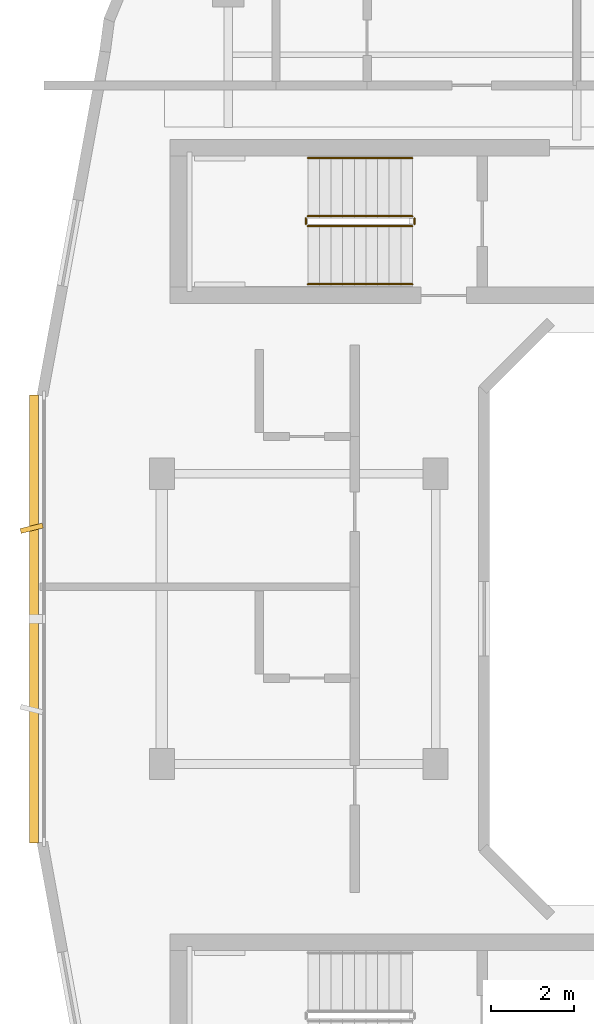
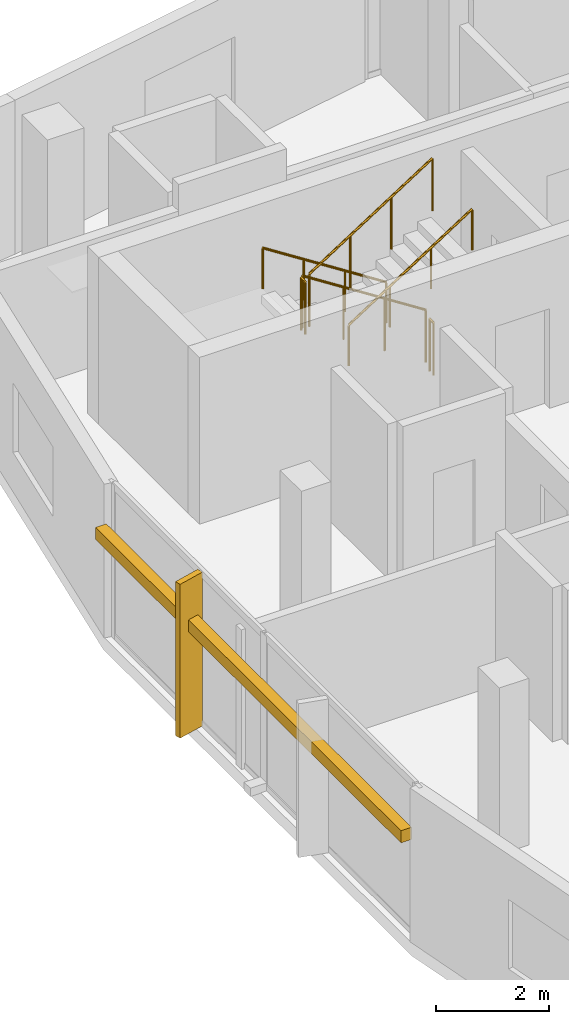
# One storey, part 9 of 10: 6 railings, 2 shading devices.
"""IFC4 building model written with IfcOpenShell, lengths in metres."""

from ifc_helpers import new_model, si_unit, derived_unit, direction, frame, origin, origin_2d, place, context, subcontext, project, spatial, rectangle, circle, extrude, material, type_object, element, save


model = new_model("IFC4")

# Units and contexts
model_context = context("Model", 3, precision=1e-05, world=origin(), true_north=direction((0.0, 1.0)))
body_context = subcontext(model_context, "Body", "Model", "MODEL_VIEW")
ifc_project = project(units=[si_unit("LENGTHUNIT", "METRE"), si_unit("AREAUNIT", "SQUARE_METRE"), si_unit("VOLUMEUNIT", "CUBIC_METRE"), si_unit("PLANEANGLEUNIT", "RADIAN"), si_unit("MASSUNIT", "GRAM", prefix="KILO"), derived_unit("THERMALTRANSMITTANCEUNIT", [(si_unit("POWERUNIT", "WATT"), 1), (si_unit("LENGTHUNIT", "METRE"), -2), (si_unit("THERMODYNAMICTEMPERATUREUNIT", "KELVIN"), -1)])], contexts=[model_context])

# Site, building, storey
site_placement = place(None, origin())
site = spatial("IfcSite", under=ifc_project, at=site_placement, CompositionType="ELEMENT")
building_placement = place(site_placement, origin())
building = spatial("IfcBuilding", under=site, at=building_placement, Name="Kivonza Crest Hotel", CompositionType="ELEMENT")
storey_placement = place(building_placement, frame((0.0, 0.0, 250.39990234375)))
storey = spatial("IfcBuildingStorey", under=building, at=storey_placement, Name="L68", CompositionType="ELEMENT", Elevation=250.39990234375)

# Railings
ifc_material_1 = material(Name="Brushed stainless steel handrail", Category="steel")
railing_type_1 = type_object("IfcRailingType", Name="RL-HAND-900", PredefinedType="HANDRAIL", material=ifc_material_1)
railing_1_placement = place(storey_placement, frame((12.239990234375, 36.110107421875, 0.18017578125)))
element("IfcRailing", 1, at=railing_1_placement, inside=storey, type_object=railing_type_1, Name="L68 ST-T1-N stair handrail 1", PredefinedType="HANDRAIL", context=body_context, shape_type="SweptSolid", body=[
    extrude(circle(Radius=0.02392578125, at=origin_2d()), frame((0.0, 0.0, 0.8759765625), z_axis=(-0.841199657755, 0.0, 0.540724639528), x_axis=(0.0, -1.0, 0.0)), (0.0, 0.0, 1.0), 2.995849609375),
    extrude(circle(Radius=0.02099609375, at=origin_2d()), origin(), (0.0, 0.0, 1.0), 0.851806640625),
    extrude(circle(Radius=0.02099609375, at=origin_2d()), frame((-0.840087890625, 0.0, 0.5400390625)), (0.0, 0.0, 1.0), 0.851806640625),
    extrude(circle(Radius=0.02099609375, at=origin_2d()), frame((-1.679931640625, 0.0, 1.079833984375)), (0.0, 0.0, 1.0), 0.851806640625),
    extrude(circle(Radius=0.02099609375, at=origin_2d()), frame((-2.52001953125, 0.0, 1.619873046875)), (0.0, 0.0, 1.0), 0.851806640625),
])
railing_2_placement = place(storey_placement, frame((9.719970703125, 33.070068359375, 1.97998046875)))
element("IfcRailing", 2, at=railing_2_placement, inside=storey, type_object=railing_type_1, Name="L68 ST-T1-N stair handrail 2", PredefinedType="HANDRAIL", context=body_context, shape_type="SweptSolid", body=[
    extrude(circle(Radius=0.02392578125, at=origin_2d()), frame((0.0, 0.0, 0.8759765625), z_axis=(0.841162588446, 0.0, 0.540782303519), x_axis=(0.0, 1.0, 0.0)), (0.0, 0.0, 1.0), 2.995849609375),
    extrude(circle(Radius=0.02099609375, at=origin_2d()), origin(), (0.0, 0.0, 1.0), 0.851806640625),
    extrude(circle(Radius=0.02099609375, at=origin_2d()), frame((0.840087890625, 0.0, 0.5400390625)), (0.0, 0.0, 1.0), 0.851806640625),
    extrude(circle(Radius=0.02099609375, at=origin_2d()), frame((1.679931640625, 0.0, 1.080078125)), (0.0, 0.0, 1.0), 0.851806640625),
    extrude(circle(Radius=0.02099609375, at=origin_2d()), frame((2.52001953125, 0.0, 1.6201171875)), (0.0, 0.0, 1.0), 0.851806640625),
])
ifc_material_2 = material(Name="Painted steel balustrade", Category="steel")
railing_type_2 = type_object("IfcRailingType", Name="RL-STAIR-1150", PredefinedType="BALUSTRADE", material=ifc_material_2)
railing_3_placement = place(storey_placement, frame((12.239990234375, 34.7099609375, 0.18017578125)))
element("IfcRailing", 3, at=railing_3_placement, inside=storey, type_object=railing_type_2, Name="L68 ST-T1-N stair guard 1", PredefinedType="BALUSTRADE", context=body_context, shape_type="SweptSolid", body=[
    extrude(circle(Radius=0.02392578125, at=origin_2d()), frame((0.0, 0.0, 1.1259765625), z_axis=(-0.841199657755, 0.0, 0.540724639528), x_axis=(0.0, -1.0, 0.0)), (0.0, 0.0, 1.0), 2.995849609375),
    extrude(circle(Radius=0.02099609375, at=origin_2d()), origin(), (0.0, 0.0, 1.0), 1.101806640625),
    extrude(circle(Radius=0.02099609375, at=origin_2d()), frame((-0.840087890625, 0.0, 0.5400390625)), (0.0, 0.0, 1.0), 1.101806640625),
    extrude(circle(Radius=0.02099609375, at=origin_2d()), frame((-1.679931640625, 0.0, 1.079833984375)), (0.0, 0.0, 1.0), 1.101806640625),
    extrude(circle(Radius=0.02099609375, at=origin_2d()), frame((-2.52001953125, 0.0, 1.619873046875)), (0.0, 0.0, 1.0), 1.101806640625),
])
railing_4_placement = place(storey_placement, frame((9.669921875, 34.659912109375, 1.800048828125)))
element("IfcRailing", 4, at=railing_4_placement, inside=storey, type_object=railing_type_2, Name="L68 ST-T1-N stair guard 2", PredefinedType="BALUSTRADE", context=body_context, shape_type="SweptSolid", body=[
    extrude(circle(Radius=0.02392578125, at=origin_2d()), frame((0.0, 0.0, 1.1259765625), z_axis=(0.0, -1.0, 0.0), x_axis=(1.0, 0.0, 0.0)), (0.0, 0.0, 1.0), 0.139892578125),
    extrude(circle(Radius=0.02099609375, at=origin_2d()), origin(), (0.0, 0.0, 1.0), 1.101806640625),
    extrude(circle(Radius=0.02099609375, at=origin_2d()), frame((0.0, -0.139892578125, 0.0)), (0.0, 0.0, 1.0), 1.101806640625),
])
railing_5_placement = place(storey_placement, frame((9.719970703125, 34.469970703125, 1.97998046875)))
element("IfcRailing", 5, at=railing_5_placement, inside=storey, type_object=railing_type_2, Name="L68 ST-T1-N stair guard 3", PredefinedType="BALUSTRADE", context=body_context, shape_type="SweptSolid", body=[
    extrude(circle(Radius=0.02392578125, at=origin_2d()), frame((0.0, 0.0, 1.1259765625), z_axis=(0.841162588446, 0.0, 0.540782303519), x_axis=(0.0, 1.0, 0.0)), (0.0, 0.0, 1.0), 2.995849609375),
    extrude(circle(Radius=0.02099609375, at=origin_2d()), origin(), (0.0, 0.0, 1.0), 1.101806640625),
    extrude(circle(Radius=0.02099609375, at=origin_2d()), frame((0.840087890625, 0.0, 0.5400390625)), (0.0, 0.0, 1.0), 1.101806640625),
    extrude(circle(Radius=0.02099609375, at=origin_2d()), frame((1.679931640625, 0.0, 1.080078125)), (0.0, 0.0, 1.0), 1.101806640625),
    extrude(circle(Radius=0.02099609375, at=origin_2d()), frame((2.52001953125, 0.0, 1.6201171875)), (0.0, 0.0, 1.0), 1.101806640625),
])
railing_6_placement = place(storey_placement, frame((12.2900390625, 34.659912109375, 0.0)))
element("IfcRailing", 6, at=railing_6_placement, inside=storey, type_object=railing_type_2, Name="L68 ST-T1-N stair guard 4", PredefinedType="BALUSTRADE", context=body_context, shape_type="SweptSolid", body=[
    extrude(circle(Radius=0.02392578125, at=origin_2d()), frame((0.0, 0.0, 1.1259765625), z_axis=(0.0, -1.0, 0.0), x_axis=(1.0, 0.0, 0.0)), (0.0, 0.0, 1.0), 0.139892578125),
    extrude(circle(Radius=0.02099609375, at=origin_2d()), origin(), (0.0, 0.0, 1.0), 1.101806640625),
    extrude(circle(Radius=0.02099609375, at=origin_2d()), frame((0.0, -0.139892578125, 0.0)), (0.0, 0.0, 1.0), 1.101806640625),
])

# Shading devices
ifc_material_3 = material(Name="Kiln-fired Nairobi red-ochre terracotta", Category="masonry")
shading_device_type_1 = type_object("IfcShadingDeviceType", Name="SH-BAGUETTE-300", PredefinedType="USERDEFINED", material=ifc_material_3)
shading_device_1_placement = place(storey_placement, frame((3.1201171875, 25.0, 2.1943359375), z_axis=(0.0, 0.0, 1.0), x_axis=(0.0, -1.0, 0.0)))
element("IfcShadingDevice", 7, at=shading_device_1_placement, inside=storey, type_object=shading_device_type_1, Name="L68 terracotta baguette screen CW-T1-L68-35", ObjectType="BAGUETTE", PredefinedType="USERDEFINED", context=body_context, shape_type="SweptSolid", body=[
    extrude(rectangle(XDim=10.800048828125, YDim=0.219970703125, at=origin_2d()), origin(), (0.0, 0.0, 1.0), 0.260009765625),
])
ifc_material_4 = material(Name="Kiln-fired terracotta over extruded aluminium spine", Category="masonry")
shading_device_type_2 = type_object("IfcShadingDeviceType", Name="SH-FIN-550", PredefinedType="USERDEFINED", material=ifc_material_4)
shading_device_2_placement = place(storey_placement, frame((3.06005859375, 27.18408203125, 0.0), z_axis=(0.0, 0.0, 1.0), x_axis=(0.2419218956, -0.970295726276, 0.0)))
element("IfcShadingDevice", 8, at=shading_device_2_placement, inside=storey, type_object=shading_device_type_2, Name="L68 vertical solar shading fin CW-T1-L68-35-1", ObjectType="FIN", PredefinedType="USERDEFINED", context=body_context, shape_type="SweptSolid", body=[
    extrude(rectangle(XDim=0.1201171875, YDim=0.550048828125, at=origin_2d()), origin(), (0.0, 0.0, 1.0), 3.320068359375),
])

save(model, "model.ifc")
